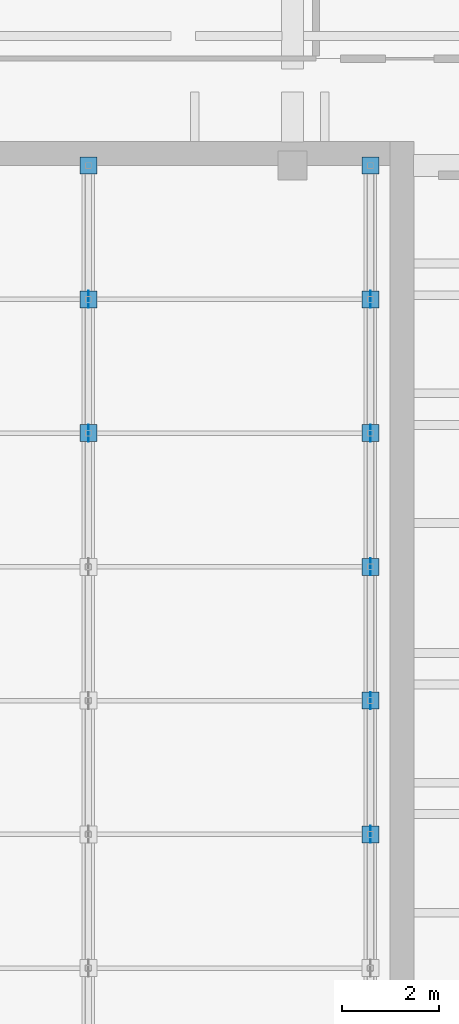
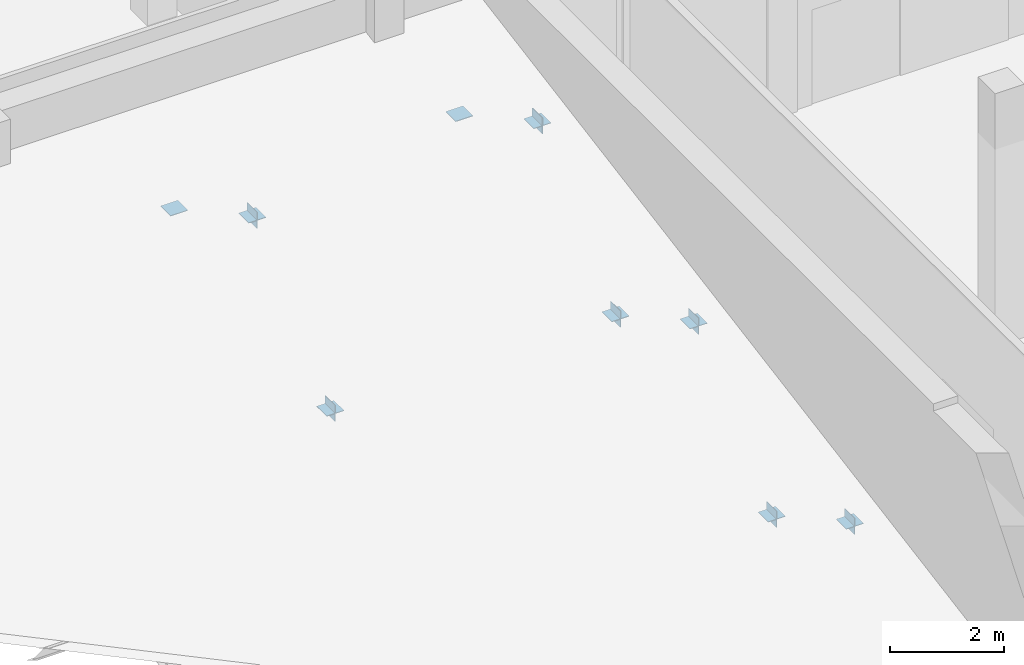
# One storey, part 89 of 132: 16 discrete accessories.
"""IFC4 building model written with IfcOpenShell, lengths in metres."""

from ifc_helpers import new_model, si_unit, direction, frame, origin, origin_2d, place, context, subcontext, project, spatial, rectangle, extrude, material, layer, layer_set, type_object, element, save


model = new_model("IFC4")

# Units and contexts
model_context = context("Model", 3, precision=1e-05, world=origin(), true_north=direction((0.0, 1.0)))
body_context = subcontext(model_context, "Body", "Model", "MODEL_VIEW")
ifc_project = project(units=[si_unit("LENGTHUNIT", "METRE"), si_unit("AREAUNIT", "SQUARE_METRE"), si_unit("VOLUMEUNIT", "CUBIC_METRE"), si_unit("PLANEANGLEUNIT", "RADIAN"), si_unit("MASSUNIT", "GRAM", prefix="KILO")], contexts=[model_context])

# Site, building, storey
site_placement = place(None, origin())
site = spatial("IfcSite", under=ifc_project, at=site_placement, CompositionType="ELEMENT")
building_placement = place(site_placement, origin())
building = spatial("IfcBuilding", under=site, at=building_placement, Name="Lunette Opera House", CompositionType="ELEMENT")
storey_placement = place(building_placement, frame((0.0, 0.0, 17.0)))
storey = spatial("IfcBuildingStorey", under=building, at=storey_placement, Name="L03", CompositionType="ELEMENT", Elevation=17.0)

# Discrete accessories
ifc_material = material(Name="Steel S355", Category="steel")
ifc_layer = layer(ifc_material, 0.011962890625)
ifc_layer_set = layer_set([ifc_layer], Name="Steel S355")
discrete_accessory_type = type_object("IfcDiscreteAccessoryType", Name="BRACE GUSSET PLATE 12", PredefinedType="USERDEFINED", material=ifc_layer_set)
discrete_accessory_1_placement = place(storey_placement, frame((27.800048828125, 82.5, 1.1982421875), z_axis=(0.0, 0.0, 1.0), x_axis=(0.0, 1.0, 0.0)))
element("IfcDiscreteAccessory", 1, at=discrete_accessory_1_placement, inside=storey, type_object=discrete_accessory_type, Name="Gusset plate 246", ObjectType="GUSSET PLATE", PredefinedType="USERDEFINED", context=body_context, shape_type="SweptSolid", body=[
    extrude(rectangle(XDim=0.35009765625, YDim=0.35009765625, at=origin_2d()), origin(), (0.0, 0.0, 1.0), 0.011962890625),
])
for number, where, z_axis, x_axis, name in (
    (2, (27.800048828125, 82.5, 1.029052734375), (0.0, 0.0, 1.0), (0.0, 1.0, 0.0), "Gusset plate 247"),
    (3, (27.800048828125, 85.25, 3.513916015625), (0.0, 0.0, 1.0), (0.0, 1.0, 0.0), "Gusset plate 248"),
):
    element("IfcDiscreteAccessory", number, at=place(storey_placement, frame(where, z_axis=z_axis, x_axis=x_axis)), inside=storey, type_object=discrete_accessory_type, Name=name, ObjectType="GUSSET PLATE", PredefinedType="USERDEFINED", context=body_context, shape_type="SweptSolid", body=[
        extrude(rectangle(XDim=0.35009765625, YDim=0.011962890625, at=origin_2d()), origin(), (0.0, 0.0, 1.0), 0.35009765625),
    ])
for number, where, z_axis, x_axis, name in (
    (4, (27.800048828125, 85.25, 3.68310546875), (0.0, 0.0, 1.0), (0.0, 1.0, 0.0), "Gusset plate 249"),
    (5, (27.800048828125, 88.0, 2.16796875), (0.0, 0.0, 1.0), (0.0, 1.0, 0.0), "Gusset plate 250"),
):
    element("IfcDiscreteAccessory", number, at=place(storey_placement, frame(where, z_axis=z_axis, x_axis=x_axis)), inside=storey, type_object=discrete_accessory_type, Name=name, ObjectType="GUSSET PLATE", PredefinedType="USERDEFINED", context=body_context, shape_type="SweptSolid", body=[
        extrude(rectangle(XDim=0.35009765625, YDim=0.35009765625, at=origin_2d()), origin(), (0.0, 0.0, 1.0), 0.011962890625),
    ])
discrete_accessory_2_placement = place(storey_placement, frame((33.60009765625, 74.25, 1.574951171875), z_axis=(0.0, 0.0, 1.0), x_axis=(0.0, 1.0, 0.0)))
element("IfcDiscreteAccessory", 6, at=discrete_accessory_2_placement, inside=storey, type_object=discrete_accessory_type, Name="Gusset plate 256", ObjectType="GUSSET PLATE", PredefinedType="USERDEFINED", context=body_context, shape_type="SweptSolid", body=[
    extrude(rectangle(XDim=0.35009765625, YDim=0.011962890625, at=origin_2d()), origin(), (0.0, 0.0, 1.0), 0.35009765625),
])
for number, where, z_axis, x_axis, name in (
    (7, (33.60009765625, 74.25, 1.744140625), (0.0, 0.0, 1.0), (0.0, 1.0, 0.0), "Gusset plate 257"),
    (8, (33.60009765625, 77.0, 0.22900390625), (0.0, 0.0, 1.0), (0.0, 1.0, 0.0), "Gusset plate 258"),
):
    element("IfcDiscreteAccessory", number, at=place(storey_placement, frame(where, z_axis=z_axis, x_axis=x_axis)), inside=storey, type_object=discrete_accessory_type, Name=name, ObjectType="GUSSET PLATE", PredefinedType="USERDEFINED", context=body_context, shape_type="SweptSolid", body=[
        extrude(rectangle(XDim=0.35009765625, YDim=0.35009765625, at=origin_2d()), origin(), (0.0, 0.0, 1.0), 0.011962890625),
    ])
for number, where, z_axis, x_axis, name in (
    (9, (33.60009765625, 77.0, 0.06005859375), (0.0, 0.0, 1.0), (0.0, 1.0, 0.0), "Gusset plate 259"),
    (10, (33.60009765625, 79.75, 2.5439453125), (0.0, 0.0, 1.0), (0.0, 1.0, 0.0), "Gusset plate 260"),
):
    element("IfcDiscreteAccessory", number, at=place(storey_placement, frame(where, z_axis=z_axis, x_axis=x_axis)), inside=storey, type_object=discrete_accessory_type, Name=name, ObjectType="GUSSET PLATE", PredefinedType="USERDEFINED", context=body_context, shape_type="SweptSolid", body=[
        extrude(rectangle(XDim=0.35009765625, YDim=0.011962890625, at=origin_2d()), origin(), (0.0, 0.0, 1.0), 0.35009765625),
    ])
for number, where, z_axis, x_axis, name in (
    (11, (33.60009765625, 79.75, 2.712890625), (0.0, 0.0, 1.0), (0.0, 1.0, 0.0), "Gusset plate 261"),
    (12, (33.60009765625, 82.5, 1.1982421875), (0.0, 0.0, 1.0), (0.0, 1.0, 0.0), "Gusset plate 262"),
):
    element("IfcDiscreteAccessory", number, at=place(storey_placement, frame(where, z_axis=z_axis, x_axis=x_axis)), inside=storey, type_object=discrete_accessory_type, Name=name, ObjectType="GUSSET PLATE", PredefinedType="USERDEFINED", context=body_context, shape_type="SweptSolid", body=[
        extrude(rectangle(XDim=0.35009765625, YDim=0.35009765625, at=origin_2d()), origin(), (0.0, 0.0, 1.0), 0.011962890625),
    ])
for number, where, z_axis, x_axis, name in (
    (13, (33.60009765625, 82.5, 1.029052734375), (0.0, 0.0, 1.0), (0.0, 1.0, 0.0), "Gusset plate 263"),
    (14, (33.60009765625, 85.25, 3.513916015625), (0.0, 0.0, 1.0), (0.0, 1.0, 0.0), "Gusset plate 264"),
):
    element("IfcDiscreteAccessory", number, at=place(storey_placement, frame(where, z_axis=z_axis, x_axis=x_axis)), inside=storey, type_object=discrete_accessory_type, Name=name, ObjectType="GUSSET PLATE", PredefinedType="USERDEFINED", context=body_context, shape_type="SweptSolid", body=[
        extrude(rectangle(XDim=0.35009765625, YDim=0.011962890625, at=origin_2d()), origin(), (0.0, 0.0, 1.0), 0.35009765625),
    ])
for number, where, z_axis, x_axis, name in (
    (15, (33.60009765625, 85.25, 3.68310546875), (0.0, 0.0, 1.0), (0.0, 1.0, 0.0), "Gusset plate 265"),
    (16, (33.60009765625, 88.0, 2.16796875), (0.0, 0.0, 1.0), (0.0, 1.0, 0.0), "Gusset plate 266"),
):
    element("IfcDiscreteAccessory", number, at=place(storey_placement, frame(where, z_axis=z_axis, x_axis=x_axis)), inside=storey, type_object=discrete_accessory_type, Name=name, ObjectType="GUSSET PLATE", PredefinedType="USERDEFINED", context=body_context, shape_type="SweptSolid", body=[
        extrude(rectangle(XDim=0.35009765625, YDim=0.35009765625, at=origin_2d()), origin(), (0.0, 0.0, 1.0), 0.011962890625),
    ])

save(model, "model.ifc")
